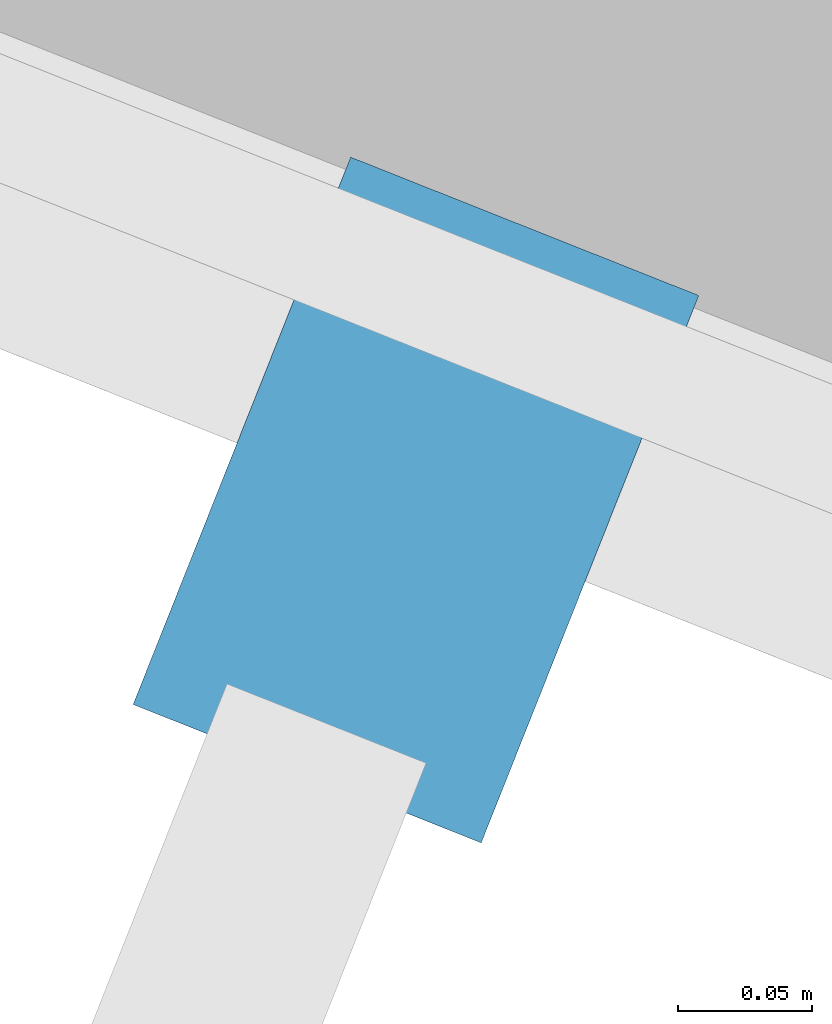
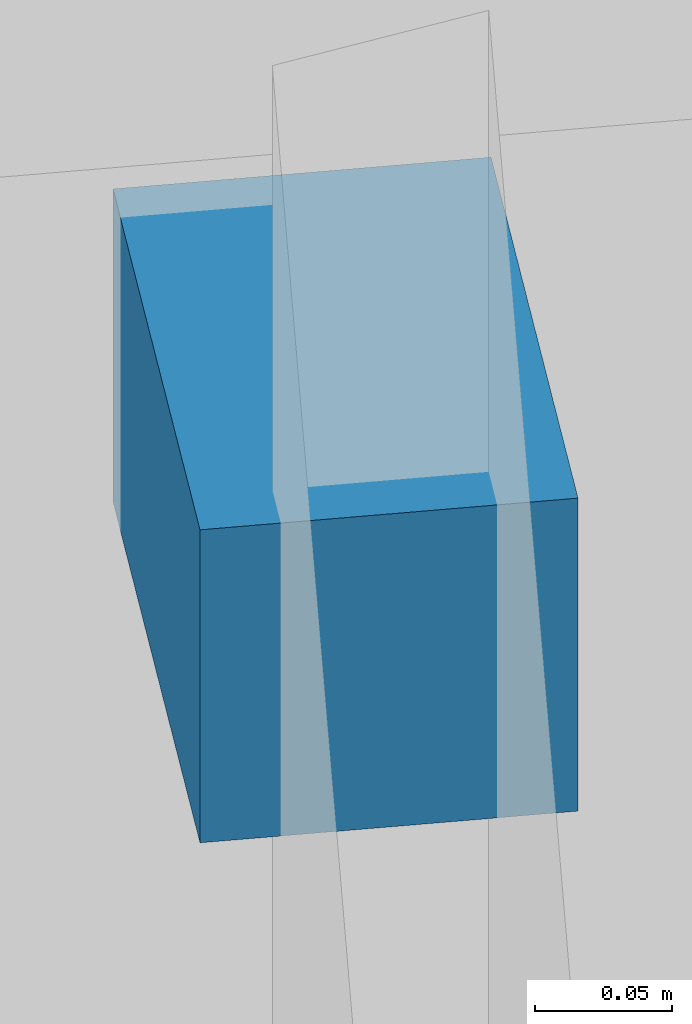
# One storey, part 181 of 220: 1 discrete accessory.
"""IFC4 building model written with IfcOpenShell, lengths in metres."""

from ifc_helpers import new_model, si_unit, direction, frame, origin, origin_2d, place, context, subcontext, project, spatial, rectangle, extrude, material, type_object, element, save


model = new_model("IFC4")

# Units and contexts
model_context = context("Model", 3, precision=1e-05, world=origin(), true_north=direction((0.0, 1.0)))
body_context = subcontext(model_context, "Body", "Model", "MODEL_VIEW")
ifc_project = project(units=[si_unit("LENGTHUNIT", "METRE"), si_unit("AREAUNIT", "SQUARE_METRE"), si_unit("VOLUMEUNIT", "CUBIC_METRE"), si_unit("PLANEANGLEUNIT", "RADIAN"), si_unit("MASSUNIT", "GRAM", prefix="KILO")], contexts=[model_context])

# Site, building, storey
site_placement = place(None, origin())
site = spatial("IfcSite", under=ifc_project, at=site_placement, CompositionType="ELEMENT")
building_placement = place(site_placement, origin())
building = spatial("IfcBuilding", under=site, at=building_placement, Name="Cendralis Lancet Convention Centre", CompositionType="ELEMENT")
storey_placement = place(building_placement, frame((0.0, 0.0, 5.39990234375)))
storey = spatial("IfcBuildingStorey", under=building, at=storey_placement, Name="L01", CompositionType="ELEMENT", Elevation=5.39990234375)

# Discrete accessory
ifc_material = material(Name="Steel S355", Category="steel")
discrete_accessory_type = type_object("IfcDiscreteAccessoryType", Name="ARC-BRK-FIN", PredefinedType="BRACKET", material=ifc_material)
discrete_accessory_placement = place(storey_placement, frame((203.781005859375, 2.497802734375, 1.93017578125), z_axis=(0.0, 0.0, 1.0), x_axis=(0.929287369176, -0.369357530706, 0.0)))
element("IfcDiscreteAccessory", 1, at=discrete_accessory_placement, inside=storey, type_object=discrete_accessory_type, Name="Facade Fin Bracket BK-FIN #035", PredefinedType="BRACKET", context=body_context, shape_type="SweptSolid", body=[
    extrude(rectangle(XDim=0.139892578125, YDim=0.219970703125, at=origin_2d()), origin(), (0.0, 0.0, 1.0), 0.139892578125),
])

save(model, "model.ifc")
